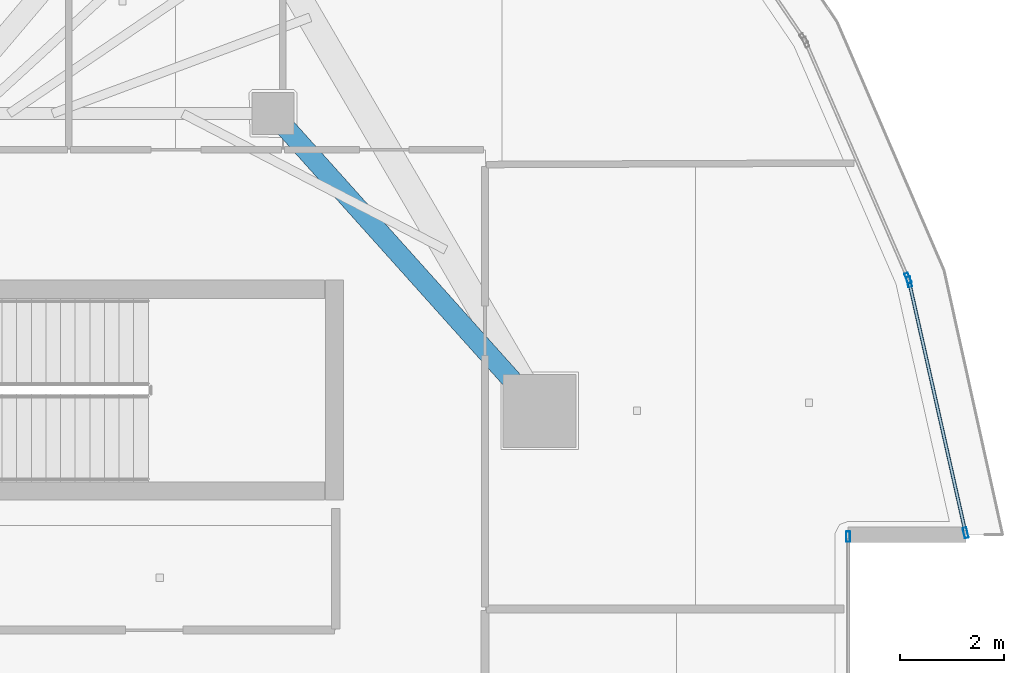
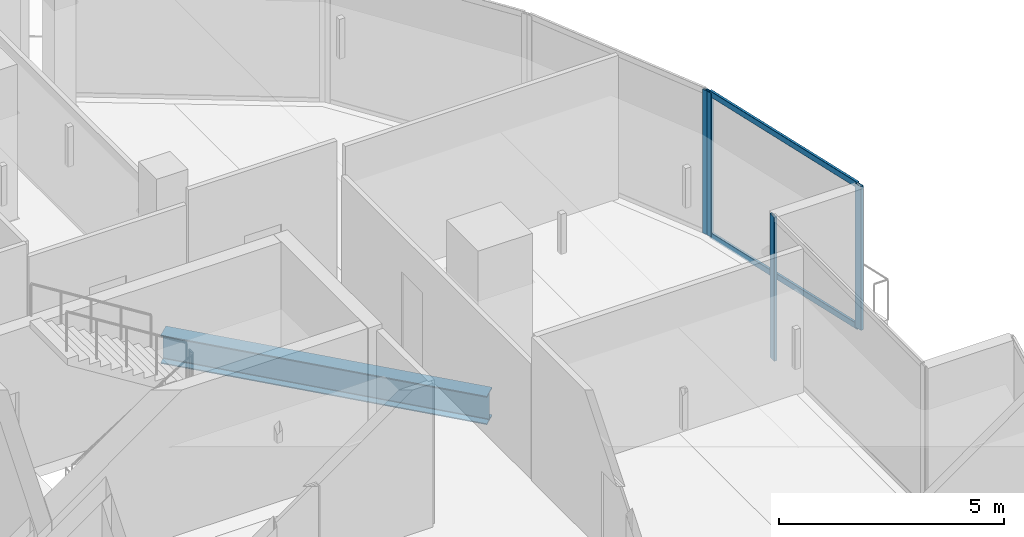
# One storey, part 10 of 25: 6 members, 1 beam, 3 elements without a shape of their own.
"""IFC4 building model written with IfcOpenShell, lengths in metres."""

from ifc_helpers import new_model, si_unit, direction, frame, origin, origin_2d, place, context, subcontext, project, spatial, hollow_rectangle, i_section, extrude, material, layer, layer_set, material_profile, profile_set, type_object, element, aggregate, save


model = new_model("IFC4")

# Units and contexts
model_context = context("Model", 3, precision=1e-05, world=origin(), true_north=direction((0.0, 1.0)))
body_context = subcontext(model_context, "Body", "Model", "MODEL_VIEW")
ifc_project = project(units=[si_unit("LENGTHUNIT", "METRE"), si_unit("AREAUNIT", "SQUARE_METRE"), si_unit("VOLUMEUNIT", "CUBIC_METRE"), si_unit("PLANEANGLEUNIT", "RADIAN"), si_unit("MASSUNIT", "GRAM", prefix="KILO")], contexts=[model_context])

# Site, building, storey
site_placement = place(None, origin())
site = spatial("IfcSite", under=ifc_project, at=site_placement, CompositionType="ELEMENT")
building_placement = place(site_placement, origin())
building = spatial("IfcBuilding", under=site, at=building_placement, Name="Qorvath Tower", CompositionType="ELEMENT")
storey_placement = place(building_placement, frame((0.0, 0.0, 306.0)))
storey = spatial("IfcBuildingStorey", under=building, at=storey_placement, Name="L71", CompositionType="ELEMENT", Elevation=306.0)

# Beam
ifc_material_1 = material(Name="Steel ASTM A992 Grade 50", Category="steel")
ifc_material_profile_1 = material_profile(ifc_material_1, i_section(OverallWidth=0.381103515625, OverallDepth=0.77294921875, WebThickness=0.0166015625, FlangeThickness=0.027099609375, FilletRadius=0.01904296875, at=origin_2d()), Name="W30x173")
ifc_profile_set_1 = profile_set([ifc_material_profile_1], Name="Steel ASTM A992 Grade 50")
beam_type = type_object("IfcBeamType", Name="BM-FG3", PredefinedType="BEAM", material=ifc_profile_set_1)
beam_placement = place(storey_placement, frame((-17.199951171875, 11.449951171875, -0.676513671875), z_axis=(0.667543184261, -0.744571082669, 0.0), x_axis=(0.744571082669, 0.667543184261, 0.0)))
element("IfcBeam", 1, at=beam_placement, inside=storey, type_object=beam_type, Name="Radial Floor Girder CC2-MC5 L71", PredefinedType="BEAM", context=body_context, shape_type="SweptSolid", body=[
    extrude(i_section(OverallWidth=0.381103515625, OverallDepth=0.77294921875, WebThickness=0.0166015625, FlangeThickness=0.027099609375, FilletRadius=0.01904296875, at=origin_2d()), origin(), (0.0, 0.0, 1.0), 7.644775390625),
])

# Curtain wall, member
ifc_material_2 = material(Name="Anodised aluminium and triple low-E glass", Category="aluminium")
ifc_layer = layer(ifc_material_2, 0.179931640625)
ifc_layer_set = layer_set([ifc_layer], Name="CW-SYS-4")
curtain_wall_type = type_object("IfcCurtainWallType", Name="CW-SYS-4", PredefinedType="NOTDEFINED", material=ifc_layer_set)
curtain_wall_1_placement = place(storey_placement, origin())
curtain_wall_1 = element("IfcCurtainWall", 2, at=curtain_wall_1_placement, inside=storey, type_object=curtain_wall_type, Name="Curtain Wall CW-4 CW-T-L71-9.1", PredefinedType="NOTDEFINED")
ifc_material_3 = material(Name="Anodised aluminium 6063-T6", Category="aluminium")
ifc_material_profile_2 = material_profile(ifc_material_3, hollow_rectangle(XDim=0.074951171875, YDim=0.199951171875, WallThickness=0.00390625, InnerFilletRadius=0.00390625, OuterFilletRadius=0.008056640625, at=origin_2d()), Name="CWM 200x75")
ifc_profile_set_2 = profile_set([ifc_material_profile_2], Name="Anodised aluminium 6063-T6")
member_type_1 = type_object("IfcMemberType", Name="CWM-200", PredefinedType="MULLION", material=ifc_profile_set_2)
member_1_placement = place(storey_placement, frame((-6.18798828125, 3.34814453125, 0.0), z_axis=(0.0, 0.0, 1.0), x_axis=(-1.0, 0.0, 0.0)))
member_1 = element("IfcMember", 3, at=member_1_placement, type_object=member_type_1, Name="CW-4 mullion 2", PredefinedType="MULLION", context=body_context, shape_type="SweptSolid", body=[
    extrude(hollow_rectangle(XDim=0.074951171875, YDim=0.199951171875, WallThickness=0.00390625, InnerFilletRadius=0.00390625, OuterFilletRadius=0.008056640625, at=origin_2d()), origin(), (0.0, 0.0, 1.0), 3.909912109375),
])
aggregate(curtain_wall_1, [member_1])

# Curtain wall, members
curtain_wall_2_placement = place(storey_placement, origin())
curtain_wall_2 = element("IfcCurtainWall", 4, at=curtain_wall_2_placement, inside=storey, type_object=curtain_wall_type, Name="Curtain Wall CW-4 CW-T-L71-11.1", PredefinedType="NOTDEFINED")
member_2_placement = place(storey_placement, frame((-3.93896484375, 3.42236328125, 0.0), z_axis=(0.0, 0.0, 1.0), x_axis=(-0.975634476429, -0.21940229808, 0.0)))
member_2 = element("IfcMember", 5, at=member_2_placement, type_object=member_type_1, Name="CW-4 mullion 1", PredefinedType="MULLION", context=body_context, shape_type="SweptSolid", body=[
    extrude(hollow_rectangle(XDim=0.074951171875, YDim=0.199951171875, WallThickness=0.00390625, InnerFilletRadius=0.00390625, OuterFilletRadius=0.008056640625, at=origin_2d()), origin(), (0.0, 0.0, 1.0), 3.909912109375),
])
member_3_placement = place(storey_placement, frame((-5.019775390625, 8.22900390625, 0.0), z_axis=(0.0, 0.0, 1.0), x_axis=(-0.975634476429, -0.21940229808, 0.0)))
member_3 = element("IfcMember", 6, at=member_3_placement, type_object=member_type_1, Name="CW-4 mullion 2", PredefinedType="MULLION", context=body_context, shape_type="SweptSolid", body=[
    extrude(hollow_rectangle(XDim=0.074951171875, YDim=0.199951171875, WallThickness=0.00390625, InnerFilletRadius=0.00390625, OuterFilletRadius=0.008056640625, at=origin_2d()), origin(), (0.0, 0.0, 1.0), 3.909912109375),
])

# Curtain wall, member
curtain_wall_3_placement = place(storey_placement, origin())
curtain_wall_3 = element("IfcCurtainWall", 7, at=curtain_wall_3_placement, inside=storey, type_object=curtain_wall_type, Name="Curtain Wall CW-4 CW-T-L71-12.1", PredefinedType="NOTDEFINED")
member_4_placement = place(storey_placement, frame((-5.04296875, 8.300048828125, 0.0), z_axis=(0.0, 0.0, 1.0), x_axis=(-0.917512584773, -0.397706747219, 0.0)))
member_4 = element("IfcMember", 8, at=member_4_placement, type_object=member_type_1, Name="CW-4 mullion 1", PredefinedType="MULLION", context=body_context, shape_type="SweptSolid", body=[
    extrude(hollow_rectangle(XDim=0.074951171875, YDim=0.199951171875, WallThickness=0.00390625, InnerFilletRadius=0.00390625, OuterFilletRadius=0.008056640625, at=origin_2d()), origin(), (0.0, 0.0, 1.0), 3.909912109375),
])
aggregate(curtain_wall_3, [member_4])

# Member
ifc_material_4 = material(Name="Anodised aluminium 6063-T6", Category="aluminium")
ifc_material_profile_3 = material_profile(ifc_material_4, hollow_rectangle(XDim=0.06494140625, YDim=0.159912109375, WallThickness=0.00341796875, InnerFilletRadius=0.00341796875, OuterFilletRadius=0.007080078125, at=origin_2d()), Name="CWT 160x65")
ifc_profile_set_3 = profile_set([ifc_material_profile_3], Name="Anodised aluminium 6063-T6")
member_type_2 = type_object("IfcMemberType", Name="CWT-160", PredefinedType="USERDEFINED", material=ifc_profile_set_3)
member_5_placement = place(storey_placement, frame((-3.947265625, 3.458984375, 0.032470703125), z_axis=(-0.219402031102, 0.975634536468, 0.0), x_axis=(-0.975634536468, -0.219402031102, 0.0)))
member_5 = element("IfcMember", 9, at=member_5_placement, type_object=member_type_2, Name="CW-4 transom 1.1", ObjectType="TRANSOM", PredefinedType="USERDEFINED", context=body_context, shape_type="SweptSolid", body=[
    extrude(hollow_rectangle(XDim=0.06494140625, YDim=0.159912109375, WallThickness=0.00341796875, InnerFilletRadius=0.00341796875, OuterFilletRadius=0.007080078125, at=origin_2d()), origin(), (0.0, 0.0, 1.0), 4.8515625),
])

member_6_placement = place(storey_placement, frame((-3.947265625, 3.458984375, 3.87744140625), z_axis=(-0.219402031102, 0.975634536468, 0.0), x_axis=(-0.975634536468, -0.219402031102, 0.0)))
member_6 = element("IfcMember", 10, at=member_6_placement, type_object=member_type_2, Name="CW-4 transom 1.2", ObjectType="TRANSOM", PredefinedType="USERDEFINED", context=body_context, shape_type="SweptSolid", body=[
    extrude(hollow_rectangle(XDim=0.06494140625, YDim=0.159912109375, WallThickness=0.00341796875, InnerFilletRadius=0.00341796875, OuterFilletRadius=0.007080078125, at=origin_2d()), origin(), (0.0, 0.0, 1.0), 4.8515625),
])

aggregate(curtain_wall_2, [member_2, member_3, member_5, member_6])

save(model, "model.ifc")
